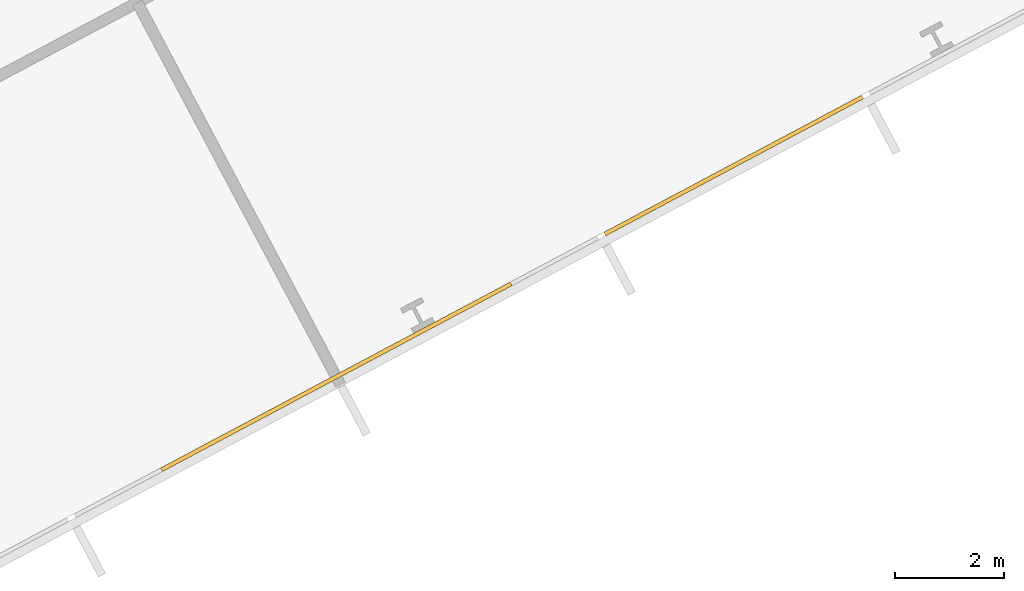
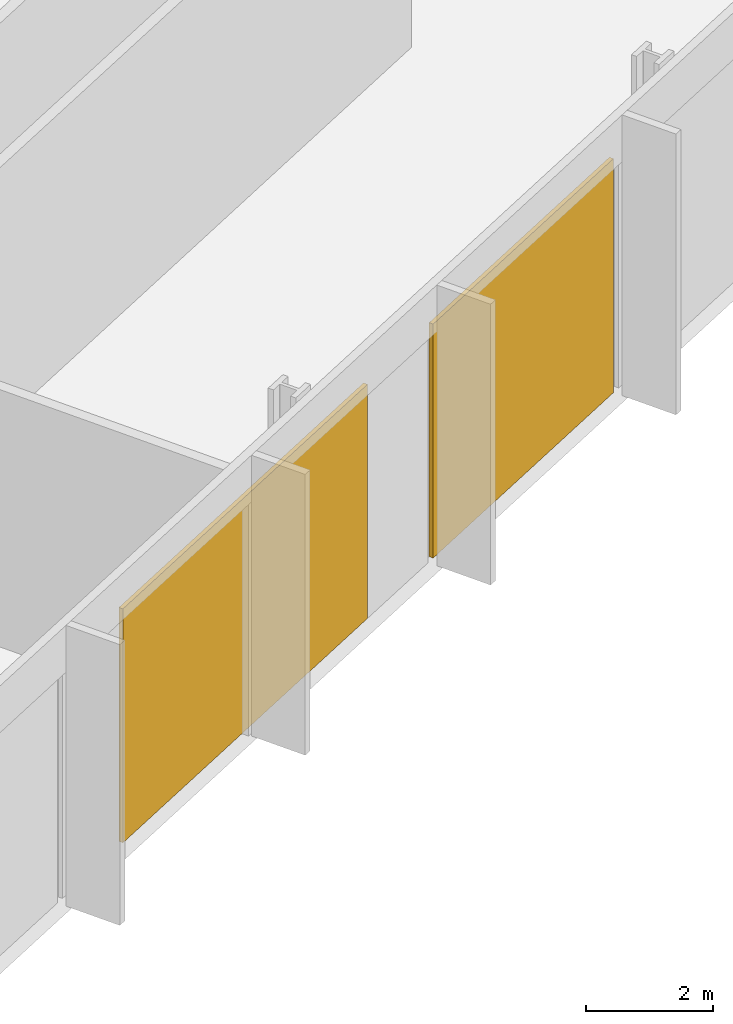
# One storey, part 28 of 32: 2 coverings, 1 element without a shape of its own.
"""IFC4 building model written with IfcOpenShell, lengths in metres."""

import ifcopenshell
import ifcopenshell.guid

model = None  # the IFC model being written
_history = None  # IfcOwnerHistory: only IFC2X3 demands one
_inside = {}  # id of a spatial element -> (the spatial element, [elements in it])
_under = {}  # id of a project, library or spatial element -> (it, [spatial elements below it])
_declared = {}  # id of a project -> (the project, [libraries it declares])
_typed = {}  # id of a type object -> (the type object, [elements of that type])
_made_of = {}  # id of a material, layer set ... -> (it, [elements and type objects made of it])


def new_model(schema):
    """Start an empty IFC model of exactly this schema.

    Asked for "IFC4X3", IfcOpenShell would pick the latest addendum, in which some entities
    have other attributes; the version numbers below select the first issue.
    IFC2X3 requires an IfcOwnerHistory on every rooted entity: one is made here for all.
    """
    global model, _history
    if schema == "IFC4X3":
        model = ifcopenshell.file(schema_version=(4, 3, 0, 0))
    else:
        model = ifcopenshell.file(schema=schema)
    _inside.clear()
    _under.clear()
    _declared.clear()
    _typed.clear()
    _made_of.clear()
    _history = None
    if model.schema == "IFC2X3":
        org = make("IfcOrganization", Name="unknown")
        user = make(
            "IfcPersonAndOrganization",
            ThePerson=make("IfcPerson", FamilyName="unknown"),
            TheOrganization=org,
        )
        app = make(
            "IfcApplication",
            ApplicationDeveloper=org,
            Version="unknown",
            ApplicationFullName="unknown",
            ApplicationIdentifier="unknown",
        )
        _history = make(
            "IfcOwnerHistory",
            OwningUser=user,
            OwningApplication=app,
            ChangeAction="ADDED",
            CreationDate=0,
        )
    return model


def make(cls, **values):
    """One entity of the class cls with the attributes given. An attribute that is None is left unset."""
    return model.create_entity(
        cls, **{name: value for name, value in values.items() if value is not None}
    )


def rooted(cls, **values):
    """An entity with a GlobalId (a new one), such as an element, a storey or a relation."""
    return make(cls, GlobalId=ifcopenshell.guid.new(), OwnerHistory=_history, **values)


def si_unit(unit_type, name, prefix=None):
    """IfcSIUnit, for example si_unit("LENGTHUNIT", "METRE", prefix="MILLI")."""
    return make("IfcSIUnit", UnitType=unit_type, Prefix=prefix, Name=name)


def assignment(units):
    """IfcUnitAssignment: the units of a project."""
    return None if units is None else make("IfcUnitAssignment", Units=units)


def point(xyz):
    """IfcCartesianPoint."""
    return None if xyz is None else make("IfcCartesianPoint", Coordinates=xyz)


def direction(xyz):
    """IfcDirection."""
    return None if xyz is None else make("IfcDirection", DirectionRatios=xyz)


def frame(location, z_axis=None, x_axis=None):
    """IfcAxis2Placement3D, a coordinate frame: its origin and axes. An axis left out is left unset."""
    return make(
        "IfcAxis2Placement3D",
        Location=point(location),
        Axis=direction(z_axis),
        RefDirection=direction(x_axis),
    )


def frame_2d(location, x_axis=None):
    """IfcAxis2Placement2D, a coordinate frame in the plane: its origin and x axis."""
    return make(
        "IfcAxis2Placement2D", Location=point(location), RefDirection=direction(x_axis)
    )


def origin():
    """The frame at (0, 0, 0) with its axes left unset."""
    return frame((0.0, 0.0, 0.0))


def origin_2d():
    """The frame at (0, 0) in the plane with its x axis left unset."""
    return frame_2d((0.0, 0.0))


def place(relative_to, where):
    """IfcLocalPlacement: puts the frame where relative to a parent placement (None: the world)."""
    return make(
        "IfcLocalPlacement", PlacementRelTo=relative_to, RelativePlacement=where
    )


def context(
    kind, dimensions, precision=None, world=None, true_north=None, identifier=None
):
    """IfcGeometricRepresentationContext, for example the 3D "Model" context."""
    return make(
        "IfcGeometricRepresentationContext",
        ContextIdentifier=identifier,
        ContextType=kind,
        CoordinateSpaceDimension=dimensions,
        Precision=precision,
        WorldCoordinateSystem=world,
        TrueNorth=true_north,
    )


def subcontext(parent, identifier, kind, view, scale=None):
    """IfcGeometricRepresentationSubContext, for example "Body" below "Model"."""
    return make(
        "IfcGeometricRepresentationSubContext",
        ContextIdentifier=identifier,
        ContextType=kind,
        ParentContext=parent,
        TargetScale=scale,
        TargetView=view,
    )


def project(units=None, contexts=None):
    """IfcProject with its units and contexts."""
    return rooted(
        "IfcProject",
        Name="project",
        RepresentationContexts=contexts,
        UnitsInContext=assignment(units),
    )


def spatial(cls, under=None, at=None, **own):
    """A site, building, storey or space (cls), placed at a placement, below another one or the project."""
    s = rooted(cls, ObjectPlacement=at, **own)
    if under is not None:
        _under.setdefault(under.id(), (under, []))[1].append(s)
    return s


def profile(cls, at=None, kind="AREA", **sizes):
    """A parametric profile (cls). Its sizes go by their IFC names, for example OverallWidth=200.0."""
    return make(cls, ProfileType=kind, Position=at, **sizes)


def rectangle(**sizes):
    """IfcRectangleProfileDef."""
    return profile("IfcRectangleProfileDef", **sizes)


def extrude(swept, where, along, depth):
    """IfcExtrudedAreaSolid: the profile swept, set in the frame where, extruded along a direction by depth."""
    return make(
        "IfcExtrudedAreaSolid",
        SweptArea=swept,
        Position=where,
        ExtrudedDirection=direction(along),
        Depth=depth,
    )


def shape(context_of_items, identifier, shape_type, items):
    """IfcShapeRepresentation: the items that make up one representation, for example the "Body"."""
    return make(
        "IfcShapeRepresentation",
        ContextOfItems=context_of_items,
        RepresentationIdentifier=identifier,
        RepresentationType=shape_type,
        Items=items,
    )


def material(Name=None, Category=None):
    """IfcMaterial."""
    return make("IfcMaterial", Name=Name, Category=Category)


def layer(
    of_material, thickness, ventilated=None, Name=None, Category=None, Priority=None
):
    """IfcMaterialLayer: one layer of a wall or slab, of a material (None: an air gap)."""
    return make(
        "IfcMaterialLayer",
        Material=of_material,
        LayerThickness=thickness,
        IsVentilated=ventilated,
        Name=Name,
        Category=Category,
        Priority=Priority,
    )


def layer_set(layers, Name=None):
    """IfcMaterialLayerSet."""
    return make("IfcMaterialLayerSet", MaterialLayers=layers, LayerSetName=Name)


def made_of(thing, what):
    """Note that an element or type object is made of a material, layer set ...; save() writes the relation."""
    if what is not None:
        _made_of.setdefault(what.id(), (what, []))[1].append(thing)
    return thing


def type_object(cls, material=None, **own):
    """A type object (cls), such as IfcWallType, which elements share."""
    return made_of(rooted(cls, **own), material)


def element(
    cls,
    number,
    at=None,
    inside=None,
    cuts=None,
    type_object=None,
    material=None,
    context=None,
    identifier="Body",
    shape_type=None,
    held_by="IfcProductDefinitionShape",
    body=None,
    shapes=None,
    **own,
):
    """One element of the class cls, such as IfcWall. Its Tag is "e" and its number.

    at: its placement. inside: the storey or other place that contains it. cuts: it is an
    opening in that element (IfcRelVoidsElement). A single representation is given by context,
    identifier, shape_type and body (its items); several are given by shapes. held_by: the class
    of the entity that holds the representations. save() writes the other relations.
    """
    e = rooted(cls, Tag="e%d" % number, ObjectPlacement=at, **own)
    if body is not None:
        shapes = [shape(context, identifier, shape_type, body)]
    if shapes is not None:
        e.Representation = make(held_by, Representations=shapes)
    if inside is not None:
        _inside.setdefault(inside.id(), (inside, []))[1].append(e)
    if cuts is not None:
        rooted(
            "IfcRelVoidsElement", RelatingBuildingElement=cuts, RelatedOpeningElement=e
        )
    if type_object is not None:
        _typed.setdefault(type_object.id(), (type_object, []))[1].append(e)
    return made_of(e, material)


def aggregate(whole, parts):
    """IfcRelAggregates: a whole, such as a stair, and the parts it consists of."""
    return rooted("IfcRelAggregates", RelatingObject=whole, RelatedObjects=parts)


def save(model, path):
    """Write the relations noted so far, then the file.

    IfcRelAggregates (storeys below a building ...), IfcRelContainedInSpatialStructure (elements
    in a storey), IfcRelDefinesByType, IfcRelAssociatesMaterial and IfcRelDeclares: one each for
    every whole, place, type object, material and project.
    """
    for whole, parts in _under.values():
        aggregate(whole, parts)
    for where, things in _inside.values():
        rooted(
            "IfcRelContainedInSpatialStructure",
            RelatedElements=things,
            RelatingStructure=where,
        )
    for kind, things in _typed.values():
        rooted("IfcRelDefinesByType", RelatedObjects=things, RelatingType=kind)
    for what, things in _made_of.values():
        rooted("IfcRelAssociatesMaterial", RelatedObjects=things, RelatingMaterial=what)
    for by, libraries in _declared.values():
        rooted("IfcRelDeclares", RelatingContext=by, RelatedDefinitions=libraries)
    model.write(path)


model = new_model("IFC4")

# Units and contexts
model_context = context("Model", 3, precision=1e-05, world=origin(), true_north=direction((0.0, 1.0)))
body_context = subcontext(model_context, "Body", "Model", "MODEL_VIEW")
ifc_project = project(units=[si_unit("LENGTHUNIT", "METRE"), si_unit("AREAUNIT", "SQUARE_METRE"), si_unit("VOLUMEUNIT", "CUBIC_METRE"), si_unit("PLANEANGLEUNIT", "RADIAN"), si_unit("MASSUNIT", "GRAM", prefix="KILO")], contexts=[model_context])

# Site, building, storey
site_placement = place(None, origin())
site = spatial("IfcSite", under=ifc_project, at=site_placement, CompositionType="ELEMENT")
building_placement = place(site_placement, origin())
building = spatial("IfcBuilding", under=site, at=building_placement, Name="Cormorant Relay Tower", CompositionType="ELEMENT")
storey_placement = place(building_placement, frame((0.0, 0.0, 17.60009765625)))
storey = spatial("IfcBuildingStorey", under=building, at=storey_placement, Name="L03", CompositionType="ELEMENT", Elevation=17.60009765625)

# Curtain wall, coverings
ifc_material_1 = material(Name="Aluminium 6063-T6 anodised bronze", Category="aluminium")
ifc_layer_1 = layer(ifc_material_1, 0.235107421875)
ifc_layer_set_1 = layer_set([ifc_layer_1], Name="CW6 data hall curtain wall with mineral wool panels")
curtain_wall_type = type_object("IfcCurtainWallType", Name="CW6 data hall curtain wall with mineral wool panels", PredefinedType="NOTDEFINED", material=ifc_layer_set_1)
curtain_wall_placement = place(storey_placement, origin())
curtain_wall = element("IfcCurtainWall", 1, at=curtain_wall_placement, inside=storey, type_object=curtain_wall_type, Name="CW6 curtain wall 2", PredefinedType="NOTDEFINED")
ifc_material_2 = material(Name="Mineral wool cored anodised bronze aluminium cassette panel", Category="aluminium")
ifc_layer_2 = layer(ifc_material_2, 0.074951171875)
ifc_layer_set_2 = layer_set([ifc_layer_2], Name="CW6 mineral wool cassette panel 75")
covering_type = type_object("IfcCoveringType", Name="CW6 mineral wool cassette panel 75", PredefinedType="CLADDING", material=ifc_layer_set_2)
covering_1_placement = place(storey_placement, frame((51.333251953125, 3.468017578125, 0.0), z_axis=(0.0, 0.0, 1.0), x_axis=(0.882947592859, 0.469471562786, 0.0)))
covering_1 = element("IfcCovering", 2, at=covering_1_placement, type_object=covering_type, Name="CW6 panel S10", PredefinedType="CLADDING", context=body_context, shape_type="SweptSolid", body=[
    extrude(rectangle(XDim=7.273681640625, YDim=0.074951171875, at=origin_2d()), origin(), (0.0, 0.0, 1.0), 4.5),
])
covering_2_placement = place(storey_placement, frame((58.63330078125, 7.349365234375, 0.0), z_axis=(0.0, 0.0, 1.0), x_axis=(0.882947592859, 0.469471562786, 0.0)))
covering_2 = element("IfcCovering", 3, at=covering_2_placement, type_object=covering_type, Name="CW6 panel S12", PredefinedType="CLADDING", context=body_context, shape_type="SweptSolid", body=[
    extrude(rectangle(XDim=5.36181640625, YDim=0.074951171875, at=origin_2d()), origin(), (0.0, 0.0, 1.0), 4.5),
])
aggregate(curtain_wall, [covering_1, covering_2])

save(model, "model.ifc")
